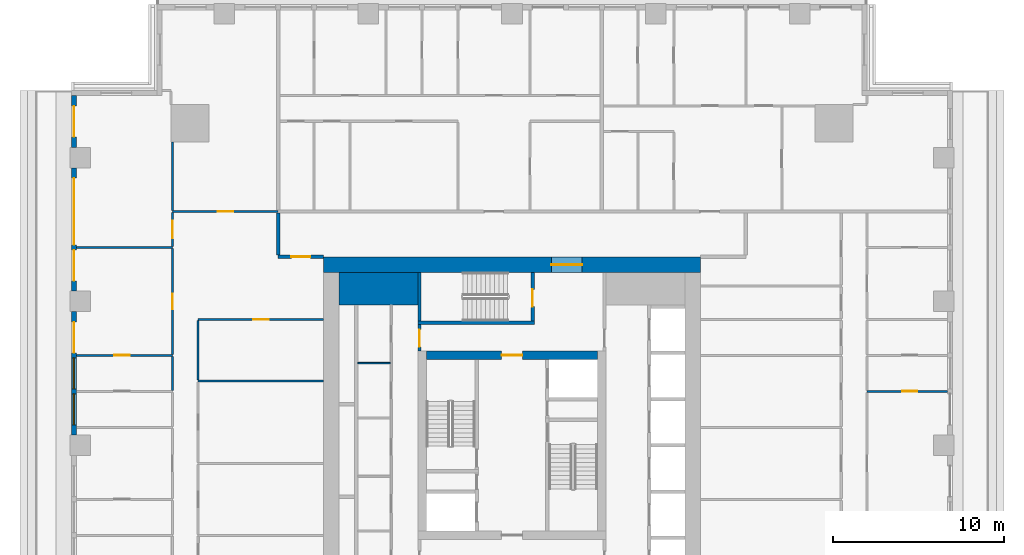
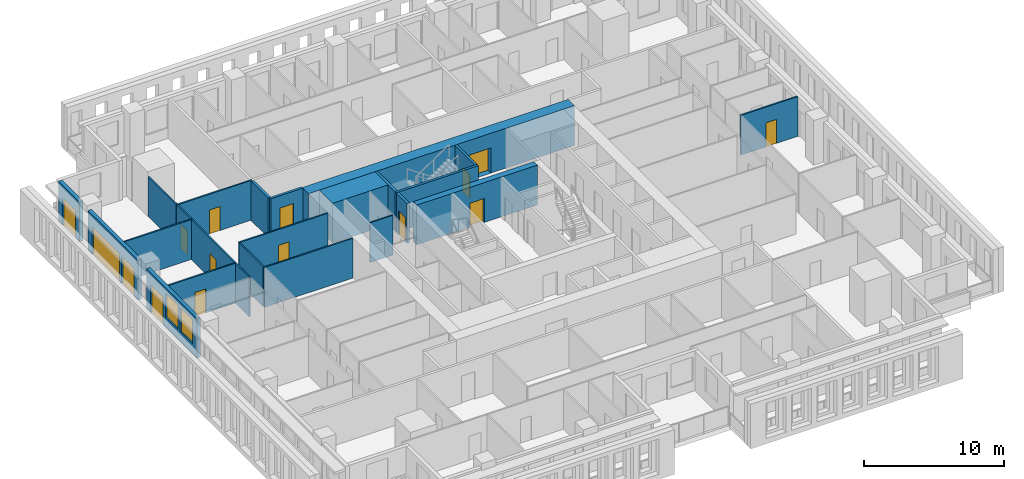
# One storey, part 7 of 16: 24 walls, 15 doors, 2 windows, 17 openings.
"""IFC4 building model written with IfcOpenShell, lengths in metres."""

from ifc_helpers import new_model, si_unit, direction, frame, frame_2d, origin, place, context, subcontext, project, spatial, rectangle, extrude, material, layer, layer_set, type_object, element, fill, save


model = new_model("IFC4")

# Units and contexts
model_context = context("Model", 3, precision=1e-05, world=origin(), true_north=direction((0.0, 1.0)))
body_context = subcontext(model_context, "Body", "Model", "MODEL_VIEW")
ifc_project = project(units=[si_unit("LENGTHUNIT", "METRE"), si_unit("AREAUNIT", "SQUARE_METRE"), si_unit("VOLUMEUNIT", "CUBIC_METRE"), si_unit("PLANEANGLEUNIT", "RADIAN"), si_unit("MASSUNIT", "GRAM", prefix="KILO")], contexts=[model_context])

# Site, building, storey
site_placement = place(None, origin())
site = spatial("IfcSite", under=ifc_project, at=site_placement, CompositionType="ELEMENT")
building_placement = place(site_placement, origin())
building = spatial("IfcBuilding", under=site, at=building_placement, Name="Khepri Terraces", CompositionType="ELEMENT")
storey_placement = place(building_placement, frame((0.0, 0.0, 240.60009765625)))
storey = spatial("IfcBuildingStorey", under=building, at=storey_placement, Name="L57", CompositionType="ELEMENT", Elevation=240.60009765625)

# Walls
ifc_material_1 = material(Name="Concrete C40/50", Category="concrete")
ifc_layer_1 = layer(ifc_material_1, 1.89990234375, Name="Concrete C40/50", Category="concrete")
ifc_layer_set_1 = layer_set([ifc_layer_1], Name="Concrete C40/50")
wall_type_1 = type_object("IfcWallType", Name="Core wall 1900 C40/50", PredefinedType="SHEAR", material=ifc_layer_set_1)
wall_1_placement = place(storey_placement, frame((-10.10009765625, 9.14990234375, 0.0), z_axis=(0.0, 0.0, 1.0), x_axis=(1.0, 0.0, 0.0)))
element("IfcWall", 1, at=wall_1_placement, inside=storey, type_object=wall_type_1, Name="Core wall PR03 L57", PredefinedType="SHEAR", context=body_context, shape_type="SweptSolid", body=[
    extrude(rectangle(XDim=4.60009765625, YDim=1.89990234375, at=frame_2d((2.300048828125, 0.0))), origin(), (0.0, 0.0, 1.0), 3.47998046875),
])
ifc_layer_2 = layer(ifc_material_1, 0.199951171875, Name="Concrete C40/50", Category="concrete")
ifc_layer_set_2 = layer_set([ifc_layer_2], Name="Concrete C40/50")
wall_type_2 = type_object("IfcWallType", Name="Core wall 200 C40/50", PredefinedType="SHEAR", material=ifc_layer_set_2)
wall_2_placement = place(storey_placement, frame((-5.5, 7.14990234375, 0.0), z_axis=(0.0, 0.0, 1.0), x_axis=(1.0, 0.0, 0.0)))
element("IfcWall", 2, at=wall_2_placement, inside=storey, type_object=wall_type_2, Name="Core wall ST05 L57", PredefinedType="SHEAR", context=body_context, shape_type="SweptSolid", body=[
    extrude(rectangle(XDim=6.800048828125, YDim=0.199951171875, at=frame_2d((3.39990234375, 0.0))), origin(), (0.0, 0.0, 1.0), 3.47998046875),
])
wall_3_placement = place(storey_placement, frame((-5.39990234375, 7.25, 0.0), z_axis=(0.0, 0.0, 1.0), x_axis=(0.0, 1.0, 0.0)))
element("IfcWall", 3, at=wall_3_placement, inside=storey, type_object=wall_type_2, Name="Core wall ST06 L57", PredefinedType="SHEAR", context=body_context, shape_type="SweptSolid", body=[
    extrude(rectangle(XDim=2.85009765625, YDim=0.199951171875, at=frame_2d((1.425048828125, 0.0))), origin(), (0.0, 0.0, 1.0), 3.47998046875),
])

# Wall, opening, door
wall_4_placement = place(storey_placement, frame((1.199951171875, 7.25, 0.0), z_axis=(0.0, 0.0, 1.0), x_axis=(0.0, 1.0, 0.0)))
wall_4 = element("IfcWall", 4, at=wall_4_placement, inside=storey, type_object=wall_type_2, Name="Core wall ST07 L57", PredefinedType="SHEAR", context=body_context, shape_type="SweptSolid", body=[
    extrude(rectangle(XDim=2.85009765625, YDim=0.199951171875, at=frame_2d((1.425048828125, 0.0))), origin(), (0.0, 0.0, 1.0), 3.47998046875),
])
opening_1_placement = place(wall_4_placement, frame((0.85009765625, 0.0, 0.0)))
opening_1 = element("IfcOpeningElement", 5, at=opening_1_placement, cuts=wall_4, Name="Opening L57-C15", PredefinedType="OPENING", context=body_context, shape_type="SweptSolid", body=[
    extrude(rectangle(XDim=1.0, YDim=2.10009765625, at=frame_2d((0.5, 1.050048828125))), frame((0.0, 0.10986328125, 0.0), z_axis=(0.0, -1.0, 0.0), x_axis=(1.0, 0.0, 0.0)), (0.0, 0.0, 1.0), 0.219970703125),
])
ifc_material_2 = material(Name="Painted steel", Category="steel")
door_type_1 = type_object("IfcDoorType", Name="DR-CORE-STAIR-1000", OperationType="NOTDEFINED", PredefinedType="DOOR", material=ifc_material_2)
door_1_placement = place(opening_1_placement, origin())
door_1 = element("IfcDoor", 6, at=door_1_placement, inside=storey, type_object=door_type_1, Name="Stair door L57-C15", OperationType="SINGLE_SWING_LEFT", OverallHeight=2.10009765625, OverallWidth=1.0, PredefinedType="DOOR", context=body_context, shape_type="SweptSolid", body=[
    extrude(rectangle(XDim=1.0, YDim=2.10009765625, at=frame_2d((0.5, 1.050048828125))), frame((0.0, 0.02490234375, 0.0), z_axis=(0.0, -1.0, 0.0), x_axis=(1.0, 0.0, 0.0)), (0.0, 0.0, 1.0), 0.050048828125),
])
fill(opening_1, door_1)

ifc_layer_3 = layer(ifc_material_1, 0.5, Name="Concrete C40/50", Category="concrete")
ifc_layer_set_3 = layer_set([ifc_layer_3], Name="Concrete C40/50")
wall_type_3 = type_object("IfcWallType", Name="Core wall 500 C40/50", PredefinedType="SHEAR", material=ifc_layer_set_3)
wall_5_placement = place(storey_placement, frame((-5.0, 5.25, 0.0), z_axis=(0.0, 0.0, 1.0), x_axis=(1.0, 0.0, 0.0)))
wall_5 = element("IfcWall", 7, at=wall_5_placement, inside=storey, type_object=wall_type_3, Name="Core wall BX04 L57", PredefinedType="SHEAR", context=body_context, shape_type="SweptSolid", body=[
    extrude(rectangle(XDim=10.0, YDim=0.5, at=frame_2d((5.0, 0.0))), origin(), (0.0, 0.0, 1.0), 3.47998046875),
])
opening_2_placement = place(wall_5_placement, frame((4.39990234375, 0.0, 0.0)))
opening_2 = element("IfcOpeningElement", 8, at=opening_2_placement, cuts=wall_5, Name="Opening L57-C13", PredefinedType="OPENING", context=body_context, shape_type="SweptSolid", body=[
    extrude(rectangle(XDim=1.199951171875, YDim=2.10009765625, at=frame_2d((0.60009765625, 1.050048828125))), frame((0.0, 0.260009765625, 0.0), z_axis=(0.0, -1.0, 0.0), x_axis=(1.0, 0.0, 0.0)), (0.0, 0.0, 1.0), 0.52001953125),
])
door_type_2 = type_object("IfcDoorType", Name="DR-CORE-FF-LOBBY-1200", OperationType="NOTDEFINED", PredefinedType="DOOR", material=ifc_material_2)
door_2_placement = place(opening_2_placement, frame((1.199951171875, 0.0, 0.0), z_axis=(0.0, 0.0, 1.0), x_axis=(-1.0, 0.0, 0.0)))
door_2 = element("IfcDoor", 9, at=door_2_placement, inside=storey, type_object=door_type_2, Name="Firefighting lobby door L57-C13", OperationType="SINGLE_SWING_LEFT", OverallHeight=2.10009765625, OverallWidth=1.199951171875, PredefinedType="DOOR", context=body_context, shape_type="SweptSolid", body=[
    extrude(rectangle(XDim=1.199951171875, YDim=2.10009765625, at=frame_2d((0.60009765625, 1.050048828125))), frame((0.0, 0.02490234375, 0.0), z_axis=(0.0, -1.0, 0.0), x_axis=(1.0, 0.0, 0.0)), (0.0, 0.0, 1.0), 0.050048828125),
])
fill(opening_2, door_2)

ifc_layer_4 = layer(ifc_material_1, 0.89990234375, Name="Concrete C40/50", Category="concrete")
ifc_layer_set_4 = layer_set([ifc_layer_4], Name="Concrete C40/50")
wall_type_4 = type_object("IfcWallType", Name="Core wall 900 C40/50", PredefinedType="SHEAR", material=ifc_layer_set_4)
wall_6_placement = place(storey_placement, frame((-11.0, 10.550048828125, 0.0), z_axis=(0.0, 0.0, 1.0), x_axis=(1.0, 0.0, 0.0)))
wall_6 = element("IfcWall", 10, at=wall_6_placement, inside=storey, type_object=wall_type_4, Name="Core wall OW-N L57", PredefinedType="SHEAR", context=body_context, shape_type="SweptSolid", body=[
    extrude(rectangle(XDim=22.0, YDim=0.89990234375, at=frame_2d((11.0, 0.0))), origin(), (0.0, 0.0, 1.0), 3.47998046875),
])
opening_3_placement = place(wall_6_placement, frame((13.300048828125, 0.0, 0.0)))
opening_3 = element("IfcOpeningElement", 11, at=opening_3_placement, cuts=wall_6, Name="Opening L57-C20", PredefinedType="OPENING", context=body_context, shape_type="SweptSolid", body=[
    extrude(rectangle(XDim=1.800048828125, YDim=2.199951171875, at=frame_2d((0.89990234375, 1.10009765625))), frame((0.0, 0.4599609375, 0.0), z_axis=(0.0, -1.0, 0.0), x_axis=(1.0, 0.0, 0.0)), (0.0, 0.0, 1.0), 0.919921875),
])
door_type_3 = type_object("IfcDoorType", Name="DR-CORE-ENTRANCE-1800", OperationType="NOTDEFINED", PredefinedType="DOOR", material=ifc_material_2)
door_3_placement = place(opening_3_placement, origin())
door_3 = element("IfcDoor", 12, at=door_3_placement, inside=storey, type_object=door_type_3, Name="Core entrance door pair L57-C20", OperationType="DOUBLE_DOOR_SINGLE_SWING", OverallHeight=2.199951171875, OverallWidth=1.800048828125, PredefinedType="DOOR", context=body_context, shape_type="SweptSolid", body=[
    extrude(rectangle(XDim=1.800048828125, YDim=2.199951171875, at=frame_2d((0.89990234375, 1.10009765625))), frame((0.0, 0.02490234375, 0.0), z_axis=(0.0, -1.0, 0.0), x_axis=(1.0, 0.0, 0.0)), (0.0, 0.0, 1.0), 0.050048828125),
])
fill(opening_3, door_3)

# Wall
ifc_material_3 = material(Name="Fire-rated gypsum board partition")
ifc_layer_5 = layer(ifc_material_3, 0.10009765625, Name="Fire-rated gypsum board partition")
ifc_layer_set_5 = layer_set([ifc_layer_5], Name="Fire-rated gypsum board partition")
wall_type_5 = type_object("IfcWallType", Name="WL-CORE-PART-100", PredefinedType="PARTITIONING", material=ifc_layer_set_5)
wall_7_placement = place(storey_placement, frame((-9.0, 4.800048828125, 0.0), z_axis=(0.0, 0.0, 1.0), x_axis=(1.0, 0.0, 0.0)))
element("IfcWall", 13, at=wall_7_placement, inside=storey, type_object=wall_type_5, Name="Core partition PT11 L57", PredefinedType="PARTITIONING", context=body_context, shape_type="SweptSolid", body=[
    extrude(rectangle(XDim=1.89990234375, YDim=0.10009765625, at=frame_2d((0.949951171875, 0.0))), origin(), (0.0, 0.0, 1.0), 3.47998046875),
])

# Wall, opening, door
ifc_layer_6 = layer(ifc_material_3, 0.199951171875, Name="Fire-rated gypsum board partition")
ifc_layer_set_6 = layer_set([ifc_layer_6], Name="Fire-rated gypsum board partition")
wall_type_6 = type_object("IfcWallType", Name="WL-CORE-PART-200", PredefinedType="PARTITIONING", material=ifc_layer_set_6)
wall_8_placement = place(storey_placement, frame((-5.39990234375, 5.5, 0.0), z_axis=(0.0, 0.0, 1.0), x_axis=(0.0, 1.0, 0.0)))
wall_8 = element("IfcWall", 14, at=wall_8_placement, inside=storey, type_object=wall_type_6, Name="Core partition PT12 L57", PredefinedType="PARTITIONING", context=body_context, shape_type="SweptSolid", body=[
    extrude(rectangle(XDim=1.550048828125, YDim=0.199951171875, at=frame_2d((0.77490234375, 0.0))), origin(), (0.0, 0.0, 1.0), 3.47998046875),
])
opening_4_placement = place(wall_8_placement, frame((0.25, 0.0, 0.0)))
opening_4 = element("IfcOpeningElement", 15, at=opening_4_placement, cuts=wall_8, Name="Opening L57-C16", PredefinedType="OPENING", context=body_context, shape_type="SweptSolid", body=[
    extrude(rectangle(XDim=1.0, YDim=2.10009765625, at=frame_2d((0.5, 1.050048828125))), frame((0.0, 0.10986328125, 0.0), z_axis=(0.0, -1.0, 0.0), x_axis=(1.0, 0.0, 0.0)), (0.0, 0.0, 1.0), 0.219970703125),
])
door_type_4 = type_object("IfcDoorType", Name="DR-CORE-LOBBY-1000", OperationType="NOTDEFINED", PredefinedType="DOOR", material=ifc_material_2)
door_4_placement = place(opening_4_placement, frame((1.0, 0.0, 0.0), z_axis=(0.0, 0.0, 1.0), x_axis=(-1.0, 0.0, 0.0)))
door_4 = element("IfcDoor", 16, at=door_4_placement, inside=storey, type_object=door_type_4, Name="Lobby door L57-C16", OperationType="SINGLE_SWING_RIGHT", OverallHeight=2.10009765625, OverallWidth=1.0, PredefinedType="DOOR", context=body_context, shape_type="SweptSolid", body=[
    extrude(rectangle(XDim=1.0, YDim=2.10009765625, at=frame_2d((0.5, 1.050048828125))), frame((0.0, 0.02490234375, 0.0), z_axis=(0.0, -1.0, 0.0), x_axis=(1.0, 0.0, 0.0)), (0.0, 0.0, 1.0), 0.050048828125),
])
fill(opening_4, door_4)

ifc_material_4 = material(Name="Fire-rated gypsum plasterboard partition, mineral wool")
ifc_layer_7 = layer(ifc_material_4, 0.199951171875, Name="Fire-rated gypsum plasterboard partition, mineral wool")
ifc_layer_set_7 = layer_set([ifc_layer_7], Name="Fire-rated gypsum plasterboard partition, mineral wool")
wall_type_7 = type_object("IfcWallType", Name="WL-CORR-200", PredefinedType="PARTITIONING", material=ifc_layer_set_7)
wall_9_placement = place(storey_placement, frame((-13.64990234375, 11.0, 0.0), z_axis=(0.0, 0.0, 1.0), x_axis=(1.0, 0.0, 0.0)))
wall_9 = element("IfcWall", 17, at=wall_9_placement, inside=storey, type_object=wall_type_7, Name="Partition P-074 L57", PredefinedType="PARTITIONING", context=body_context, shape_type="SweptSolid", body=[
    extrude(rectangle(XDim=2.64990234375, YDim=0.199951171875, at=frame_2d((1.324951171875, 0.0))), origin(), (0.0, 0.0, 1.0), 3.47998046875),
])
opening_5_placement = place(wall_9_placement, frame((0.77490234375, 0.0, 0.0)))
opening_5 = element("IfcOpeningElement", 18, at=opening_5_placement, cuts=wall_9, Name="Opening D1", PredefinedType="OPENING", context=body_context, shape_type="SweptSolid", body=[
    extrude(rectangle(XDim=1.10009765625, YDim=2.39990234375, at=frame_2d((0.550048828125, 1.199951171875))), frame((0.0, 0.10986328125, 0.0), z_axis=(0.0, -1.0, 0.0), x_axis=(1.0, 0.0, 0.0)), (0.0, 0.0, 1.0), 0.219970703125),
])
ifc_material_5 = material(Name="Solid-core timber door leaf, flat entrance door", Category="wood")
door_type_5 = type_object("IfcDoorType", Name="DR-ENT-1100", OperationType="NOTDEFINED", PredefinedType="DOOR", material=ifc_material_5)
door_5_placement = place(opening_5_placement, frame((1.10009765625, 0.0, 0.0), z_axis=(0.0, 0.0, 1.0), x_axis=(-1.0, 0.0, 0.0)))
door_5 = element("IfcDoor", 19, at=door_5_placement, inside=storey, type_object=door_type_5, Name="Flat D1 entrance door", OperationType="SINGLE_SWING_LEFT", OverallHeight=2.39990234375, OverallWidth=1.10009765625, PredefinedType="DOOR", context=body_context, shape_type="SweptSolid", body=[
    extrude(rectangle(XDim=1.10009765625, YDim=2.39990234375, at=frame_2d((0.550048828125, 1.199951171875))), frame((0.0, 0.02490234375, 0.0), z_axis=(0.0, -1.0, 0.0), x_axis=(1.0, 0.0, 0.0)), (0.0, 0.0, 1.0), 0.050048828125),
])
fill(opening_5, door_5)

# Wall
wall_10_placement = place(storey_placement, frame((-13.64990234375, 11.10009765625, 0.0), z_axis=(0.0, 0.0, 1.0), x_axis=(0.0, 1.0, 0.0)))
element("IfcWall", 20, at=wall_10_placement, inside=storey, type_object=wall_type_7, Name="Partition P-076 L57", PredefinedType="PARTITIONING", context=body_context, shape_type="SweptSolid", body=[
    extrude(rectangle(XDim=2.449951171875, YDim=0.199951171875, at=frame_2d((1.22509765625, 0.0))), origin(), (0.0, 0.0, 1.0), 3.47998046875),
])

# Wall, opening, door
ifc_material_6 = material(Name="Precast concrete C50/60 warm stone", Category="masonry")
ifc_layer_8 = layer(ifc_material_6, 0.300048828125, Name="Precast concrete C50/60 warm stone", Category="masonry")
ifc_layer_set_8 = layer_set([ifc_layer_8], Name="Precast concrete C50/60 warm stone")
wall_type_8 = type_object("IfcWallType", Name="WL-EXT-PRECAST-300", PredefinedType="STANDARD", material=ifc_layer_set_8)
wall_11_placement = place(storey_placement, frame((-25.570068359375, 20.419921875, 0.0), z_axis=(0.0, 0.0, 1.0), x_axis=(0.0, -1.0, 0.0)))
wall_11 = element("IfcWall", 21, at=wall_11_placement, inside=storey, type_object=wall_type_8, Name="External wall L57 W", PredefinedType="STANDARD", context=body_context, shape_type="SweptSolid", body=[
    extrude(rectangle(XDim=3.02001953125, YDim=0.300048828125, at=frame_2d((1.510009765625, 0.0))), origin(), (0.0, 0.0, 1.0), 3.47998046875),
])
opening_6_placement = place(wall_11_placement, frame((0.6201171875, 0.0, 0.0)))
opening_6 = element("IfcOpeningElement", 22, at=opening_6_placement, cuts=wall_11, Name="Opening ED-L57-12", PredefinedType="OPENING", context=body_context, shape_type="SweptSolid", body=[
    extrude(rectangle(XDim=1.800048828125, YDim=2.39990234375, at=frame_2d((0.89990234375, 1.199951171875))), frame((0.0, 0.16015625, 0.0), z_axis=(0.0, -1.0, 0.0), x_axis=(1.0, 0.0, 0.0)), (0.0, 0.0, 1.0), 0.320068359375),
])
ifc_material_7 = material(Name="Anodised aluminium bronze glazed door", Category="aluminium")
door_type_6 = type_object("IfcDoorType", Name="DR-BAL-SLIDE-1800x2400", OperationType="NOTDEFINED", PredefinedType="DOOR", material=ifc_material_7)
door_6_placement = place(opening_6_placement, origin())
door_6 = element("IfcDoor", 23, at=door_6_placement, inside=storey, type_object=door_type_6, Name="Balcony door L57 W", OperationType="SLIDING_TO_RIGHT", OverallHeight=2.39990234375, OverallWidth=1.800048828125, PredefinedType="DOOR", context=body_context, shape_type="SweptSolid", body=[
    extrude(rectangle(XDim=1.800048828125, YDim=2.39990234375, at=frame_2d((0.89990234375, 1.199951171875))), frame((0.0, 0.02490234375, 0.0), z_axis=(0.0, -1.0, 0.0), x_axis=(1.0, 0.0, 0.0)), (0.0, 0.0, 1.0), 0.050048828125),
])
fill(opening_6, door_6)

# Wall, openings, doors
wall_12_placement = place(storey_placement, frame((-25.570068359375, 16.199951171875, 0.0), z_axis=(0.0, 0.0, 1.0), x_axis=(0.0, -1.0, 0.0)))
wall_12 = element("IfcWall", 24, at=wall_12_placement, inside=storey, type_object=wall_type_8, Name="External wall L57 W", PredefinedType="STANDARD", context=body_context, shape_type="SweptSolid", body=[
    extrude(rectangle(XDim=7.199951171875, YDim=0.300048828125, at=frame_2d((3.60009765625, 0.0))), origin(), (0.0, 0.0, 1.0), 3.47998046875),
])
opening_7_placement = place(wall_12_placement, frame((0.60009765625, 0.0, 0.0)))
opening_7 = element("IfcOpeningElement", 25, at=opening_7_placement, cuts=wall_12, Name="Opening ED-L57-13", PredefinedType="OPENING", context=body_context, shape_type="SweptSolid", body=[
    extrude(rectangle(XDim=3.89990234375, YDim=2.39990234375, at=frame_2d((1.949951171875, 1.199951171875))), frame((0.0, 0.16015625, 0.0), z_axis=(0.0, -1.0, 0.0), x_axis=(1.0, 0.0, 0.0)), (0.0, 0.0, 1.0), 0.320068359375),
])
opening_8_placement = place(wall_12_placement, frame((4.800048828125, 0.0, 0.0)))
opening_8 = element("IfcOpeningElement", 26, at=opening_8_placement, cuts=wall_12, Name="Opening ED-L57-14", PredefinedType="OPENING", context=body_context, shape_type="SweptSolid", body=[
    extrude(rectangle(XDim=1.800048828125, YDim=2.39990234375, at=frame_2d((0.89990234375, 1.199951171875))), frame((0.0, 0.16015625, 0.0), z_axis=(0.0, -1.0, 0.0), x_axis=(1.0, 0.0, 0.0)), (0.0, 0.0, 1.0), 0.320068359375),
])
door_7_placement = place(opening_8_placement, origin())
door_7 = element("IfcDoor", 27, at=door_7_placement, inside=storey, type_object=door_type_6, Name="Balcony door L57 W", OperationType="SLIDING_TO_RIGHT", OverallHeight=2.39990234375, OverallWidth=1.800048828125, PredefinedType="DOOR", context=body_context, shape_type="SweptSolid", body=[
    extrude(rectangle(XDim=1.800048828125, YDim=2.39990234375, at=frame_2d((0.89990234375, 1.199951171875))), frame((0.0, 0.02490234375, 0.0), z_axis=(0.0, -1.0, 0.0), x_axis=(1.0, 0.0, 0.0)), (0.0, 0.0, 1.0), 0.050048828125),
])
fill(opening_8, door_7)
door_type_7 = type_object("IfcDoorType", Name="DR-BAL-SLIDE-3900x2400", OperationType="NOTDEFINED", PredefinedType="DOOR", material=ifc_material_7)
door_8_placement = place(opening_7_placement, origin())
door_8 = element("IfcDoor", 28, at=door_8_placement, inside=storey, type_object=door_type_7, Name="Balcony door L57 W", OperationType="SLIDING_TO_LEFT", OverallHeight=2.39990234375, OverallWidth=3.89990234375, PredefinedType="DOOR", context=body_context, shape_type="SweptSolid", body=[
    extrude(rectangle(XDim=3.89990234375, YDim=2.39990234375, at=frame_2d((1.949951171875, 1.199951171875))), frame((0.0, 0.02490234375, 0.0), z_axis=(0.0, -1.0, 0.0), x_axis=(1.0, 0.0, 0.0)), (0.0, 0.0, 1.0), 0.050048828125),
])
fill(opening_7, door_8)

# Wall, openings, door, windows
wall_13_placement = place(storey_placement, frame((-25.570068359375, 7.800048828125, 0.0), z_axis=(0.0, 0.0, 1.0), x_axis=(0.0, -1.0, 0.0)))
wall_13 = element("IfcWall", 29, at=wall_13_placement, inside=storey, type_object=wall_type_8, Name="External wall L57 W", PredefinedType="STANDARD", context=body_context, shape_type="SweptSolid", body=[
    extrude(rectangle(XDim=7.199951171875, YDim=0.300048828125, at=frame_2d((3.60009765625, 0.0))), origin(), (0.0, 0.0, 1.0), 3.47998046875),
])
opening_9_placement = place(wall_13_placement, frame((0.60009765625, 0.0, 0.0)))
opening_9 = element("IfcOpeningElement", 30, at=opening_9_placement, cuts=wall_13, Name="Opening ED-L57-15", PredefinedType="OPENING", context=body_context, shape_type="SweptSolid", body=[
    extrude(rectangle(XDim=1.800048828125, YDim=2.39990234375, at=frame_2d((0.89990234375, 1.199951171875))), frame((0.0, 0.16015625, 0.0), z_axis=(0.0, -1.0, 0.0), x_axis=(1.0, 0.0, 0.0)), (0.0, 0.0, 1.0), 0.320068359375),
])
opening_10_placement = place(wall_13_placement, frame((2.699951171875, 0.0, 0.89990234375)))
opening_10 = element("IfcOpeningElement", 31, at=opening_10_placement, cuts=wall_13, Name="Opening W1", PredefinedType="OPENING", context=body_context, shape_type="SweptSolid", body=[
    extrude(rectangle(XDim=1.800048828125, YDim=2.10009765625, at=frame_2d((0.89990234375, 1.050048828125))), frame((0.0, 0.16015625, 0.0), z_axis=(0.0, -1.0, 0.0), x_axis=(1.0, 0.0, 0.0)), (0.0, 0.0, 1.0), 0.320068359375),
])
opening_11_placement = place(wall_13_placement, frame((4.800048828125, 0.0, 0.89990234375)))
opening_11 = element("IfcOpeningElement", 32, at=opening_11_placement, cuts=wall_13, Name="Opening W1", PredefinedType="OPENING", context=body_context, shape_type="SweptSolid", body=[
    extrude(rectangle(XDim=1.800048828125, YDim=2.10009765625, at=frame_2d((0.89990234375, 1.050048828125))), frame((0.0, 0.16015625, 0.0), z_axis=(0.0, -1.0, 0.0), x_axis=(1.0, 0.0, 0.0)), (0.0, 0.0, 1.0), 0.320068359375),
])
door_9_placement = place(opening_9_placement, origin())
door_9 = element("IfcDoor", 33, at=door_9_placement, inside=storey, type_object=door_type_6, Name="Balcony door L57 W", OperationType="SLIDING_TO_LEFT", OverallHeight=2.39990234375, OverallWidth=1.800048828125, PredefinedType="DOOR", context=body_context, shape_type="SweptSolid", body=[
    extrude(rectangle(XDim=1.800048828125, YDim=2.39990234375, at=frame_2d((0.89990234375, 1.199951171875))), frame((0.0, 0.02490234375, 0.0), z_axis=(0.0, -1.0, 0.0), x_axis=(1.0, 0.0, 0.0)), (0.0, 0.0, 1.0), 0.050048828125),
])
fill(opening_9, door_9)
ifc_material_8 = material(Name="Clear glass", Category="glass")
window_type = type_object("IfcWindowType", Name="WIN-RES-1800x2100", PartitioningType="SINGLE_PANEL", PredefinedType="WINDOW", material=ifc_material_8)
window_1_placement = place(opening_10_placement, origin())
window_1 = element("IfcWindow", 34, at=window_1_placement, inside=storey, type_object=window_type, Name="Window L57 W", OverallHeight=2.10009765625, OverallWidth=1.800048828125, PartitioningType="SINGLE_PANEL", PredefinedType="WINDOW", context=body_context, shape_type="SweptSolid", body=[
    extrude(rectangle(XDim=1.800048828125, YDim=2.10009765625, at=frame_2d((0.89990234375, 1.050048828125))), frame((0.0, 0.030029296875, 0.0), z_axis=(0.0, -1.0, 0.0), x_axis=(1.0, 0.0, 0.0)), (0.0, 0.0, 1.0), 0.06005859375),
])
fill(opening_10, window_1)
window_2_placement = place(opening_11_placement, origin())
window_2 = element("IfcWindow", 35, at=window_2_placement, inside=storey, type_object=window_type, Name="Window L57 W", OverallHeight=2.10009765625, OverallWidth=1.800048828125, PartitioningType="SINGLE_PANEL", PredefinedType="WINDOW", context=body_context, shape_type="SweptSolid", body=[
    extrude(rectangle(XDim=1.800048828125, YDim=2.10009765625, at=frame_2d((0.89990234375, 1.050048828125))), frame((0.0, 0.030029296875, 0.0), z_axis=(0.0, -1.0, 0.0), x_axis=(1.0, 0.0, 0.0)), (0.0, 0.0, 1.0), 0.06005859375),
])
fill(opening_11, window_2)

# Wall, opening, door
ifc_material_9 = material(Name="Gypsum plasterboard partition")
ifc_layer_9 = layer(ifc_material_9, 0.1201171875, Name="Gypsum plasterboard partition")
ifc_layer_set_9 = layer_set([ifc_layer_9], Name="Gypsum plasterboard partition")
wall_type_9 = type_object("IfcWallType", Name="WL-PART-120", PredefinedType="PARTITIONING", material=ifc_layer_set_9)
wall_14_placement = place(storey_placement, frame((20.719970703125, 3.14990234375, 0.0), z_axis=(0.0, 0.0, 1.0), x_axis=(1.0, 0.0, 0.0)))
wall_14 = element("IfcWall", 36, at=wall_14_placement, inside=storey, type_object=wall_type_9, Name="Partition P-056 L57", PredefinedType="PARTITIONING", context=body_context, shape_type="SweptSolid", body=[
    extrude(rectangle(XDim=4.699951171875, YDim=0.1201171875, at=frame_2d((2.35009765625, 0.0))), origin(), (0.0, 0.0, 1.0), 3.47998046875),
])
opening_12_placement = place(wall_14_placement, frame((2.050048828125, 0.0, 0.0)))
opening_12 = element("IfcOpeningElement", 37, at=opening_12_placement, cuts=wall_14, Name="Opening D3", PredefinedType="OPENING", context=body_context, shape_type="SweptSolid", body=[
    extrude(rectangle(XDim=0.89990234375, YDim=2.10009765625, at=frame_2d((0.449951171875, 1.050048828125))), frame((0.0, 0.070068359375, 0.0), z_axis=(0.0, -1.0, 0.0), x_axis=(1.0, 0.0, 0.0)), (0.0, 0.0, 1.0), 0.14013671875),
])
ifc_material_10 = material(Name="Timber door leaf", Category="wood")
door_type_8 = type_object("IfcDoorType", Name="DR-INT-900", OperationType="NOTDEFINED", PredefinedType="DOOR", material=ifc_material_10)
door_10_placement = place(opening_12_placement, origin())
door_10 = element("IfcDoor", 38, at=door_10_placement, inside=storey, type_object=door_type_8, Name="Door Dressing Room", OperationType="SINGLE_SWING_RIGHT", OverallHeight=2.10009765625, OverallWidth=0.89990234375, PredefinedType="DOOR", context=body_context, shape_type="SweptSolid", body=[
    extrude(rectangle(XDim=0.89990234375, YDim=2.10009765625, at=frame_2d((0.449951171875, 1.050048828125))), frame((0.0, 0.02490234375, 0.0), z_axis=(0.0, -1.0, 0.0), x_axis=(1.0, 0.0, 0.0)), (0.0, 0.0, 1.0), 0.050048828125),
])
fill(opening_12, door_10)

# Walls
wall_15_placement = place(storey_placement, frame((-19.820068359375, 3.2099609375, 0.0), z_axis=(0.0, 0.0, 1.0), x_axis=(0.0, 1.0, 0.0)))
element("IfcWall", 39, at=wall_15_placement, inside=storey, type_object=wall_type_9, Name="Partition P-057 L57", PredefinedType="PARTITIONING", context=body_context, shape_type="SweptSolid", body=[
    extrude(rectangle(XDim=1.97998046875, YDim=0.1201171875, at=frame_2d((0.989990234375, 0.0))), origin(), (0.0, 0.0, 1.0), 3.47998046875),
])
wall_16_placement = place(storey_placement, frame((-18.320068359375, 3.75, 0.0), z_axis=(0.0, 0.0, 1.0), x_axis=(1.0, 0.0, 0.0)))
element("IfcWall", 40, at=wall_16_placement, inside=storey, type_object=wall_type_9, Name="Partition P-059 L57", PredefinedType="PARTITIONING", context=body_context, shape_type="SweptSolid", body=[
    extrude(rectangle(XDim=7.320068359375, YDim=0.1201171875, at=frame_2d((3.66015625, 0.0))), origin(), (0.0, 0.0, 1.0), 3.47998046875),
])
wall_17_placement = place(storey_placement, frame((-18.320068359375, 3.81005859375, 0.0), z_axis=(0.0, 0.0, 1.0), x_axis=(0.0, 1.0, 0.0)))
element("IfcWall", 41, at=wall_17_placement, inside=storey, type_object=wall_type_9, Name="Partition P-060 L57", PredefinedType="PARTITIONING", context=body_context, shape_type="SweptSolid", body=[
    extrude(rectangle(XDim=3.47998046875, YDim=0.1201171875, at=frame_2d((1.739990234375, 0.0))), origin(), (0.0, 0.0, 1.0), 3.47998046875),
])

# Wall, opening, door
wall_18_placement = place(storey_placement, frame((-25.419921875, 5.25, 0.0), z_axis=(0.0, 0.0, 1.0), x_axis=(1.0, 0.0, 0.0)))
wall_18 = element("IfcWall", 42, at=wall_18_placement, inside=storey, type_object=wall_type_9, Name="Partition P-061 L57", PredefinedType="PARTITIONING", context=body_context, shape_type="SweptSolid", body=[
    extrude(rectangle(XDim=5.599853515625, YDim=0.1201171875, at=frame_2d((2.7998046875, 0.0))), origin(), (0.0, 0.0, 1.0), 3.47998046875),
])
opening_13_placement = place(wall_18_placement, frame((2.199951171875, 0.0, 0.0)))
opening_13 = element("IfcOpeningElement", 43, at=opening_13_placement, cuts=wall_18, Name="Opening D3", PredefinedType="OPENING", context=body_context, shape_type="SweptSolid", body=[
    extrude(rectangle(XDim=0.89990234375, YDim=2.10009765625, at=frame_2d((0.449951171875, 1.050048828125))), frame((0.0, 0.070068359375, 0.0), z_axis=(0.0, -1.0, 0.0), x_axis=(1.0, 0.0, 0.0)), (0.0, 0.0, 1.0), 0.14013671875),
])
door_11_placement = place(opening_13_placement, frame((0.89990234375, 0.0, 0.0), z_axis=(0.0, 0.0, 1.0), x_axis=(-1.0, 0.0, 0.0)))
door_11 = element("IfcDoor", 44, at=door_11_placement, inside=storey, type_object=door_type_8, Name="Door Dressing Room", OperationType="SINGLE_SWING_RIGHT", OverallHeight=2.10009765625, OverallWidth=0.89990234375, PredefinedType="DOOR", context=body_context, shape_type="SweptSolid", body=[
    extrude(rectangle(XDim=0.89990234375, YDim=2.10009765625, at=frame_2d((0.449951171875, 1.050048828125))), frame((0.0, 0.02490234375, 0.0), z_axis=(0.0, -1.0, 0.0), x_axis=(1.0, 0.0, 0.0)), (0.0, 0.0, 1.0), 0.050048828125),
])
fill(opening_13, door_11)

wall_19_placement = place(storey_placement, frame((-19.820068359375, 5.31005859375, 0.0), z_axis=(0.0, 0.0, 1.0), x_axis=(0.0, 1.0, 0.0)))
wall_19 = element("IfcWall", 45, at=wall_19_placement, inside=storey, type_object=wall_type_9, Name="Partition P-064 L57", PredefinedType="PARTITIONING", context=body_context, shape_type="SweptSolid", body=[
    extrude(rectangle(XDim=6.179931640625, YDim=0.1201171875, at=frame_2d((3.08984375, 0.0))), origin(), (0.0, 0.0, 1.0), 3.47998046875),
])
opening_14_placement = place(wall_19_placement, frame((2.639892578125, 0.0, 0.0)))
opening_14 = element("IfcOpeningElement", 46, at=opening_14_placement, cuts=wall_19, Name="Opening D3", PredefinedType="OPENING", context=body_context, shape_type="SweptSolid", body=[
    extrude(rectangle(XDim=0.89990234375, YDim=2.10009765625, at=frame_2d((0.449951171875, 1.050048828125))), frame((0.0, 0.070068359375, 0.0), z_axis=(0.0, -1.0, 0.0), x_axis=(1.0, 0.0, 0.0)), (0.0, 0.0, 1.0), 0.14013671875),
])
door_12_placement = place(opening_14_placement, origin())
door_12 = element("IfcDoor", 47, at=door_12_placement, inside=storey, type_object=door_type_8, Name="Door Master Bedroom", OperationType="SINGLE_SWING_RIGHT", OverallHeight=2.10009765625, OverallWidth=0.89990234375, PredefinedType="DOOR", context=body_context, shape_type="SweptSolid", body=[
    extrude(rectangle(XDim=0.89990234375, YDim=2.10009765625, at=frame_2d((0.449951171875, 1.050048828125))), frame((0.0, 0.02490234375, 0.0), z_axis=(0.0, -1.0, 0.0), x_axis=(1.0, 0.0, 0.0)), (0.0, 0.0, 1.0), 0.050048828125),
])
fill(opening_14, door_12)

wall_20_placement = place(storey_placement, frame((-18.320068359375, 7.35009765625, 0.0), z_axis=(0.0, 0.0, 1.0), x_axis=(1.0, 0.0, 0.0)))
wall_20 = element("IfcWall", 48, at=wall_20_placement, inside=storey, type_object=wall_type_9, Name="Partition P-067 L57", PredefinedType="PARTITIONING", context=body_context, shape_type="SweptSolid", body=[
    extrude(rectangle(XDim=7.320068359375, YDim=0.1201171875, at=frame_2d((3.66015625, 0.0))), origin(), (0.0, 0.0, 1.0), 3.47998046875),
])
opening_15_placement = place(wall_20_placement, frame((3.2099609375, 0.0, 0.0)))
opening_15 = element("IfcOpeningElement", 49, at=opening_15_placement, cuts=wall_20, Name="Opening D3", PredefinedType="OPENING", context=body_context, shape_type="SweptSolid", body=[
    extrude(rectangle(XDim=0.89990234375, YDim=2.10009765625, at=frame_2d((0.449951171875, 1.050048828125))), frame((0.0, 0.070068359375, 0.0), z_axis=(0.0, -1.0, 0.0), x_axis=(1.0, 0.0, 0.0)), (0.0, 0.0, 1.0), 0.14013671875),
])
door_13_placement = place(opening_15_placement, frame((0.89990234375, 0.0, 0.0), z_axis=(0.0, 0.0, 1.0), x_axis=(-1.0, 0.0, 0.0)))
door_13 = element("IfcDoor", 50, at=door_13_placement, inside=storey, type_object=door_type_8, Name="Door Kitchen", OperationType="SINGLE_SWING_LEFT", OverallHeight=2.10009765625, OverallWidth=0.89990234375, PredefinedType="DOOR", context=body_context, shape_type="SweptSolid", body=[
    extrude(rectangle(XDim=0.89990234375, YDim=2.10009765625, at=frame_2d((0.449951171875, 1.050048828125))), frame((0.0, 0.02490234375, 0.0), z_axis=(0.0, -1.0, 0.0), x_axis=(1.0, 0.0, 0.0)), (0.0, 0.0, 1.0), 0.050048828125),
])
fill(opening_15, door_13)

# Wall
wall_21_placement = place(storey_placement, frame((-25.419921875, 11.550048828125, 0.0), z_axis=(0.0, 0.0, 1.0), x_axis=(1.0, 0.0, 0.0)))
element("IfcWall", 51, at=wall_21_placement, inside=storey, type_object=wall_type_9, Name="Partition P-078 L57", PredefinedType="PARTITIONING", context=body_context, shape_type="SweptSolid", body=[
    extrude(rectangle(XDim=5.599853515625, YDim=0.1201171875, at=frame_2d((2.7998046875, 0.0))), origin(), (0.0, 0.0, 1.0), 3.47998046875),
])

# Wall, opening, door
wall_22_placement = place(storey_placement, frame((-19.820068359375, 11.610107421875, 0.0), z_axis=(0.0, 0.0, 1.0), x_axis=(0.0, 1.0, 0.0)))
wall_22 = element("IfcWall", 52, at=wall_22_placement, inside=storey, type_object=wall_type_9, Name="Partition P-080 L57", PredefinedType="PARTITIONING", context=body_context, shape_type="SweptSolid", body=[
    extrude(rectangle(XDim=1.97998046875, YDim=0.1201171875, at=frame_2d((0.989990234375, 0.0))), origin(), (0.0, 0.0, 1.0), 3.47998046875),
])
opening_16_placement = place(wall_22_placement, frame((0.489990234375, 0.0, 0.0)))
opening_16 = element("IfcOpeningElement", 53, at=opening_16_placement, cuts=wall_22, Name="Opening D2", PredefinedType="OPENING", context=body_context, shape_type="SweptSolid", body=[
    extrude(rectangle(XDim=1.0, YDim=2.10009765625, at=frame_2d((0.5, 1.050048828125))), frame((0.0, 0.070068359375, 0.0), z_axis=(0.0, -1.0, 0.0), x_axis=(1.0, 0.0, 0.0)), (0.0, 0.0, 1.0), 0.14013671875),
])
ifc_material_11 = material(Name="Timber door leaf, living room door", Category="wood")
door_type_9 = type_object("IfcDoorType", Name="DR-INT-1000", OperationType="NOTDEFINED", PredefinedType="DOOR", material=ifc_material_11)
door_14_placement = place(opening_16_placement, origin())
door_14 = element("IfcDoor", 54, at=door_14_placement, inside=storey, type_object=door_type_9, Name="Door Living Room", OperationType="SINGLE_SWING_RIGHT", OverallHeight=2.10009765625, OverallWidth=1.0, PredefinedType="DOOR", context=body_context, shape_type="SweptSolid", body=[
    extrude(rectangle(XDim=1.0, YDim=2.10009765625, at=frame_2d((0.5, 1.050048828125))), frame((0.0, 0.02490234375, 0.0), z_axis=(0.0, -1.0, 0.0), x_axis=(1.0, 0.0, 0.0)), (0.0, 0.0, 1.0), 0.050048828125),
])
fill(opening_16, door_14)

wall_23_placement = place(storey_placement, frame((-19.820068359375, 13.64990234375, 0.0), z_axis=(0.0, 0.0, 1.0), x_axis=(1.0, 0.0, 0.0)))
wall_23 = element("IfcWall", 55, at=wall_23_placement, inside=storey, type_object=wall_type_9, Name="Partition P-082 L57", PredefinedType="PARTITIONING", context=body_context, shape_type="SweptSolid", body=[
    extrude(rectangle(XDim=6.170166015625, YDim=0.1201171875, at=frame_2d((3.0849609375, 0.0))), origin(), (0.0, 0.0, 1.0), 3.47998046875),
])
opening_17_placement = place(wall_23_placement, frame((2.635009765625, 0.0, 0.0)))
opening_17 = element("IfcOpeningElement", 56, at=opening_17_placement, cuts=wall_23, Name="Opening D3", PredefinedType="OPENING", context=body_context, shape_type="SweptSolid", body=[
    extrude(rectangle(XDim=0.89990234375, YDim=2.10009765625, at=frame_2d((0.449951171875, 1.050048828125))), frame((0.0, 0.070068359375, 0.0), z_axis=(0.0, -1.0, 0.0), x_axis=(1.0, 0.0, 0.0)), (0.0, 0.0, 1.0), 0.14013671875),
])
door_15_placement = place(opening_17_placement, origin())
door_15 = element("IfcDoor", 57, at=door_15_placement, inside=storey, type_object=door_type_8, Name="Door Home Cinema", OperationType="SINGLE_SWING_RIGHT", OverallHeight=2.10009765625, OverallWidth=0.89990234375, PredefinedType="DOOR", context=body_context, shape_type="SweptSolid", body=[
    extrude(rectangle(XDim=0.89990234375, YDim=2.10009765625, at=frame_2d((0.449951171875, 1.050048828125))), frame((0.0, 0.02490234375, 0.0), z_axis=(0.0, -1.0, 0.0), x_axis=(1.0, 0.0, 0.0)), (0.0, 0.0, 1.0), 0.050048828125),
])
fill(opening_17, door_15)

# Wall
wall_24_placement = place(storey_placement, frame((-19.820068359375, 13.7099609375, 0.0), z_axis=(0.0, 0.0, 1.0), x_axis=(0.0, 1.0, 0.0)))
element("IfcWall", 58, at=wall_24_placement, inside=storey, type_object=wall_type_9, Name="Partition P-084 L57", PredefinedType="PARTITIONING", context=body_context, shape_type="SweptSolid", body=[
    extrude(rectangle(XDim=3.989990234375, YDim=0.1201171875, at=frame_2d((1.9951171875, 0.0))), origin(), (0.0, 0.0, 1.0), 3.47998046875),
])

save(model, "model.ifc")
